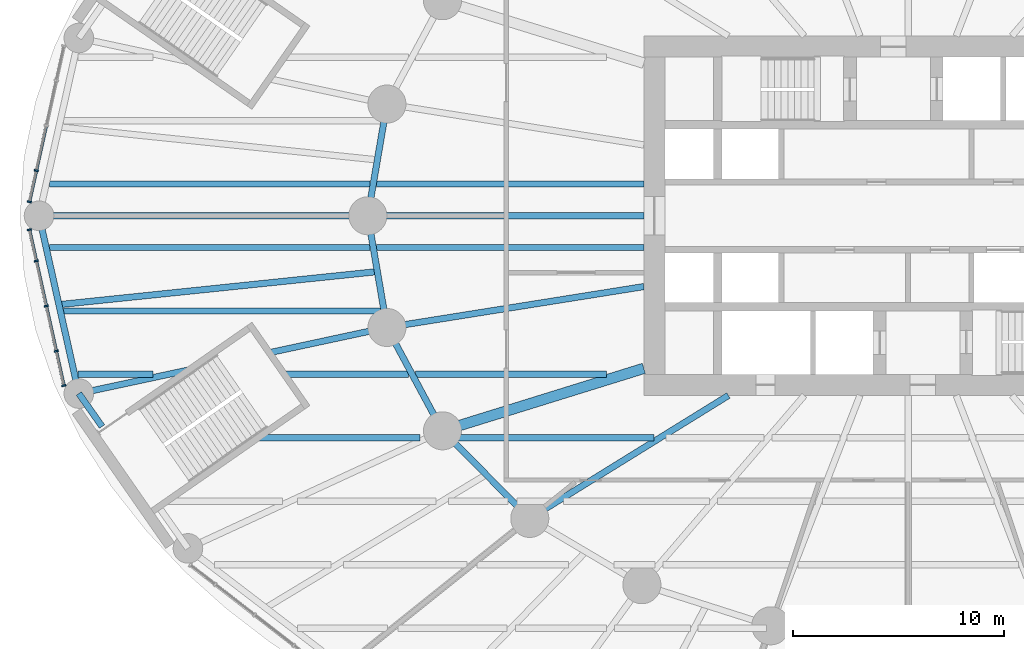
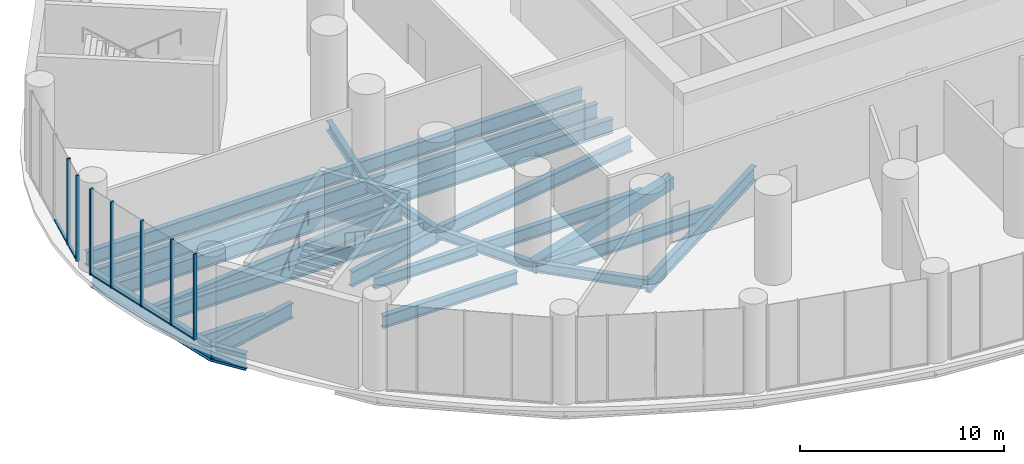
# One storey, part 3 of 23: 24 beams, 13 members, 2 elements without a shape of their own.
"""IFC4 building model written with IfcOpenShell, lengths in metres."""

from ifc_helpers import new_model, si_unit, direction, frame, origin, origin_2d, place, context, subcontext, project, spatial, rectangle, hollow_rectangle, i_section, extrude, material, material_profile, profile_set, type_object, element, aggregate, save


model = new_model("IFC4")

# Units and contexts
model_context = context("Model", 3, precision=1e-05, world=origin(), true_north=direction((0.0, 1.0)))
body_context = subcontext(model_context, "Body", "Model", "MODEL_VIEW")
ifc_project = project(units=[si_unit("LENGTHUNIT", "METRE"), si_unit("AREAUNIT", "SQUARE_METRE"), si_unit("VOLUMEUNIT", "CUBIC_METRE"), si_unit("PLANEANGLEUNIT", "RADIAN"), si_unit("MASSUNIT", "GRAM", prefix="KILO")], contexts=[model_context])

# Site, building, storey
site_placement = place(None, origin())
site = spatial("IfcSite", under=ifc_project, at=site_placement, CompositionType="ELEMENT")
building_placement = place(site_placement, origin())
building = spatial("IfcBuilding", under=site, at=building_placement, Name="Hankou Lantern Tower", CompositionType="ELEMENT")
storey_placement = place(building_placement, frame((0.0, 0.0, 19.199951171875)))
storey = spatial("IfcBuildingStorey", under=building, at=storey_placement, Name="L03", CompositionType="ELEMENT", Elevation=19.199951171875)

# Beams
ifc_material_1 = material(Name="Steel Q355B", Category="steel")
ifc_material_profile_1 = material_profile(ifc_material_1, i_section(OverallWidth=0.300048828125, OverallDepth=0.587890625, WebThickness=0.011962890625, FlangeThickness=0.02001953125, FilletRadius=0.01806640625, at=origin_2d()), Name="HM588x300x12x20")
ifc_profile_set_1 = profile_set([ifc_material_profile_1], Name="Steel Q355B")
beam_type_1 = type_object("IfcBeamType", Name="EB16 RING BEAM HM588x300x12x20", PredefinedType="SPANDREL", material=ifc_profile_set_1)
for number, where, z_axis, x_axis, name in (
    (1, (-24.64697265625, 5.283203125, -0.5439453125), (-0.168489691988, -0.985703415685, 0.0), (0.985703415685, -0.168489691988, 0.0), "Ring beam R12-R13 L03"),
    (2, (-25.550048828125, 0.0, -0.5439453125), (0.168489691988, -0.985703415685, 0.0), (0.985703415685, 0.168489691988, 0.0), "Ring beam R13-R14 L03"),
):
    element("IfcBeam", number, at=place(storey_placement, frame(where, z_axis=z_axis, x_axis=x_axis)), inside=storey, type_object=beam_type_1, Name=name, PredefinedType="SPANDREL", context=body_context, shape_type="SweptSolid", body=[
        extrude(i_section(OverallWidth=0.300048828125, OverallDepth=0.587890625, WebThickness=0.011962890625, FlangeThickness=0.02001953125, FilletRadius=0.01806640625, at=origin_2d()), origin(), (0.0, 0.0, 1.0), 5.35986328125),
    ])
beam_1_placement = place(storey_placement, frame((-24.64697265625, -5.283203125, -0.5439453125), z_axis=(0.473609096023, -0.880735161194, 0.0), x_axis=(0.880735161194, 0.473609096023, 0.0)))
element("IfcBeam", 3, at=beam_1_placement, inside=storey, type_object=beam_type_1, Name="Ring beam R14-R15 L03", PredefinedType="SPANDREL", context=body_context, shape_type="SweptSolid", body=[
    extrude(i_section(OverallWidth=0.300048828125, OverallDepth=0.587890625, WebThickness=0.011962890625, FlangeThickness=0.02001953125, FilletRadius=0.01806640625, at=origin_2d()), origin(), (0.0, 0.0, 1.0), 5.548828125),
])
beam_2_placement = place(storey_placement, frame((-22.01904296875, -10.170166015625, -0.5439453125), z_axis=(0.705727798394, -0.708483079949, 0.0), x_axis=(0.708483079949, 0.705727798394, 0.0)))
element("IfcBeam", 4, at=beam_2_placement, inside=storey, type_object=beam_type_1, Name="Ring beam R15-R16 L03", PredefinedType="SPANDREL", context=body_context, shape_type="SweptSolid", body=[
    extrude(i_section(OverallWidth=0.300048828125, OverallDepth=0.587890625, WebThickness=0.011962890625, FlangeThickness=0.02001953125, FilletRadius=0.01806640625, at=origin_2d()), origin(), (0.0, 0.0, 1.0), 5.84814453125),
])

# Curtain wall, members
ifc_material_2 = material(Name="Glass, dark grey tinted laminated", Category="glass")
curtain_wall_type = type_object("IfcCurtainWallType", Name="CWP PODIUM CURTAIN WALL", PredefinedType="USERDEFINED", material=ifc_material_2)
curtain_wall_1_placement = place(storey_placement, origin())
curtain_wall_1 = element("IfcCurtainWall", 5, at=curtain_wall_1_placement, inside=storey, type_object=curtain_wall_type, Name="CWP L03 PC09", ObjectType="PODIUM GLAZING", PredefinedType="USERDEFINED")
ifc_material_3 = material(Name="Aluminium, black anodised", Category="aluminium")
ifc_material_profile_2 = material_profile(ifc_material_3, rectangle(XDim=0.080078125, YDim=0.199951171875, at=origin_2d()), Name="MU2 80X200")
ifc_profile_set_2 = profile_set([ifc_material_profile_2], Name="Aluminium, black anodised")
member_type_1 = type_object("IfcMemberType", Name="MU2 PODIUM MULLION 80X200", PredefinedType="MULLION", material=ifc_profile_set_2)
member_1_placement = place(storey_placement, frame((-41.228515625, 2.133544921875, 0.0), z_axis=(0.0, 0.0, 1.0), x_axis=(-0.215821488116, -0.976432837049, 0.0)))
member_1 = element("IfcMember", 6, at=member_1_placement, type_object=member_type_1, Name="CWP mullion 4", PredefinedType="MULLION", context=body_context, shape_type="SweptSolid", body=[
    extrude(rectangle(XDim=0.080078125, YDim=0.199951171875, at=origin_2d()), origin(), (0.0, 0.0, 1.0), 5.150146484375),
])
member_2_placement = place(storey_placement, frame((-41.55419921875, 0.659423828125, 0.0), z_axis=(0.0, 0.0, 1.0), x_axis=(-0.215821488116, -0.976432837049, 0.0)))
member_2 = element("IfcMember", 7, at=member_2_placement, type_object=member_type_1, Name="CWP mullion 5", PredefinedType="MULLION", context=body_context, shape_type="SweptSolid", body=[
    extrude(rectangle(XDim=0.080078125, YDim=0.199951171875, at=origin_2d()), origin(), (0.0, 0.0, 1.0), 5.150146484375),
])

curtain_wall_2_placement = place(storey_placement, origin())
curtain_wall_2 = element("IfcCurtainWall", 8, at=curtain_wall_2_placement, inside=storey, type_object=curtain_wall_type, Name="CWP L03 PC10", ObjectType="PODIUM GLAZING", PredefinedType="USERDEFINED")
member_3_placement = place(storey_placement, frame((-41.55419921875, -0.659423828125, 0.0), z_axis=(0.0, 0.0, 1.0), x_axis=(0.215821488116, -0.976432837049, 0.0)))
member_3 = element("IfcMember", 9, at=member_3_placement, type_object=member_type_1, Name="CWP mullion 1", PredefinedType="MULLION", context=body_context, shape_type="SweptSolid", body=[
    extrude(rectangle(XDim=0.080078125, YDim=0.199951171875, at=origin_2d()), origin(), (0.0, 0.0, 1.0), 5.150146484375),
])
member_4_placement = place(storey_placement, frame((-41.228515625, -2.133544921875, 0.0), z_axis=(0.0, 0.0, 1.0), x_axis=(0.215821488116, -0.976432837049, 0.0)))
member_4 = element("IfcMember", 10, at=member_4_placement, type_object=member_type_1, Name="CWP mullion 2", PredefinedType="MULLION", context=body_context, shape_type="SweptSolid", body=[
    extrude(rectangle(XDim=0.080078125, YDim=0.199951171875, at=origin_2d()), origin(), (0.0, 0.0, 1.0), 5.150146484375),
])
member_5_placement = place(storey_placement, frame((-40.7568359375, -4.267333984375, 0.0), z_axis=(0.0, 0.0, 1.0), x_axis=(0.215821488116, -0.976432837049, 0.0)))
member_5 = element("IfcMember", 11, at=member_5_placement, type_object=member_type_1, Name="CWP mullion 3", PredefinedType="MULLION", context=body_context, shape_type="SweptSolid", body=[
    extrude(rectangle(XDim=0.080078125, YDim=0.199951171875, at=origin_2d()), origin(), (0.0, 0.0, 1.0), 5.150146484375),
])
member_6_placement = place(storey_placement, frame((-40.28515625, -6.40087890625, 0.0), z_axis=(0.0, 0.0, 1.0), x_axis=(0.215821488116, -0.976432837049, 0.0)))
member_6 = element("IfcMember", 12, at=member_6_placement, type_object=member_type_1, Name="CWP mullion 4", PredefinedType="MULLION", context=body_context, shape_type="SweptSolid", body=[
    extrude(rectangle(XDim=0.080078125, YDim=0.199951171875, at=origin_2d()), origin(), (0.0, 0.0, 1.0), 5.150146484375),
])
member_7_placement = place(storey_placement, frame((-39.925537109375, -8.028564453125, 0.0), z_axis=(0.0, 0.0, 1.0), x_axis=(0.215821488116, -0.976432837049, 0.0)))
member_7 = element("IfcMember", 13, at=member_7_placement, type_object=member_type_1, Name="CWP mullion 5", PredefinedType="MULLION", context=body_context, shape_type="SweptSolid", body=[
    extrude(rectangle(XDim=0.080078125, YDim=0.199951171875, at=origin_2d()), origin(), (0.0, 0.0, 1.0), 5.150146484375),
])

# Beams
ifc_material_4 = material(Name="Steel Q355B", Category="steel")
ifc_material_profile_3 = material_profile(ifc_material_4, i_section(OverallWidth=0.300048828125, OverallDepth=0.89990234375, WebThickness=0.01611328125, FlangeThickness=0.028076171875, FilletRadius=0.01806640625, at=origin_2d()), Name="HN900x300x16x28")
ifc_profile_set_3 = profile_set([ifc_material_profile_3], Name="Steel Q355B")
beam_type_2 = type_object("IfcBeamType", Name="PB13 PODIUM RADIAL BEAM HN900x300x16x28", PredefinedType="BEAM", material=ifc_profile_set_3)
beam_3_placement = place(storey_placement, frame((-25.550048828125, 0.0, -0.699951171875), z_axis=(-1.0, 0.0, 0.0), x_axis=(0.0, -1.0, 0.0)))
element("IfcBeam", 14, at=beam_3_placement, inside=storey, type_object=beam_type_2, Name="Podium radial beam R13 L03", PredefinedType="BEAM", context=body_context, shape_type="SweptSolid", body=[
    extrude(i_section(OverallWidth=0.300048828125, OverallDepth=0.89990234375, WebThickness=0.01611328125, FlangeThickness=0.028076171875, FilletRadius=0.01806640625, at=origin_2d()), origin(), (0.0, 0.0, 1.0), 15.550048828125),
])
beam_4_placement = place(storey_placement, frame((-24.64697265625, -5.283203125, -0.699951171875), z_axis=(-0.977787338777, -0.209599427782, 0.0), x_axis=(0.209599427782, -0.977787338777, 0.0)))
element("IfcBeam", 15, at=beam_4_placement, inside=storey, type_object=beam_type_2, Name="Podium radial beam R14 L03 inner part", PredefinedType="BEAM", context=body_context, shape_type="SweptSolid", body=[
    extrude(i_section(OverallWidth=0.300048828125, OverallDepth=0.89990234375, WebThickness=0.01611328125, FlangeThickness=0.028076171875, FilletRadius=0.01806640625, at=origin_2d()), origin(), (0.0, 0.0, 1.0), 5.68896484375),
])
beam_5_placement = place(storey_placement, frame((-34.01025390625, -7.29052734375, -0.699951171875), z_axis=(-0.977788323488, -0.209594834028, 0.0), x_axis=(0.209594834028, -0.977788323488, 0.0)))
element("IfcBeam", 16, at=beam_5_placement, inside=storey, type_object=beam_type_2, Name="Podium radial beam R14 L03 outer part", PredefinedType="BEAM", context=body_context, shape_type="SweptSolid", body=[
    extrude(i_section(OverallWidth=0.300048828125, OverallDepth=0.89990234375, WebThickness=0.01611328125, FlangeThickness=0.028076171875, FilletRadius=0.01806640625, at=origin_2d()), origin(), (0.0, 0.0, 1.0), 5.32568359375),
])
ifc_material_5 = material(Name="Steel Q355B", Category="steel")
ifc_material_profile_4 = material_profile(ifc_material_5, i_section(OverallWidth=0.300048828125, OverallDepth=1.0, WebThickness=0.01904296875, FlangeThickness=0.035888671875, FilletRadius=0.01806640625, at=origin_2d()), Name="HN1000x300x19x36")
ifc_profile_set_4 = profile_set([ifc_material_profile_4], Name="Steel Q355B")
beam_type_3 = type_object("IfcBeamType", Name="PR22 PODIUM RING BEAM HN1000x300x19x36", PredefinedType="BEAM", material=ifc_profile_set_4)
beam_6_placement = place(storey_placement, frame((-41.10009765625, 0.0, -0.75), z_axis=(0.218523498172, -0.975831686689, 0.0), x_axis=(0.975831686689, 0.218523498172, 0.0)))
element("IfcBeam", 17, at=beam_6_placement, inside=storey, type_object=beam_type_3, Name="Podium ring beam R13-R14 L03", PredefinedType="BEAM", context=body_context, shape_type="SweptSolid", body=[
    extrude(i_section(OverallWidth=0.300048828125, OverallDepth=1.0, WebThickness=0.01904296875, FlangeThickness=0.035888671875, FilletRadius=0.01806640625, at=origin_2d()), origin(), (0.0, 0.0, 1.0), 8.614990234375),
])
beam_7_placement = place(storey_placement, frame((-39.217529296875, -8.40673828125, -0.75), z_axis=(0.576019631526, -0.817435859317, 0.0), x_axis=(0.817435859317, 0.576019631526, 0.0)))
element("IfcBeam", 18, at=beam_7_placement, inside=storey, type_object=beam_type_3, Name="Podium ring beam R14-R15 L03 west part", PredefinedType="BEAM", context=body_context, shape_type="SweptSolid", body=[
    extrude(i_section(OverallWidth=0.300048828125, OverallDepth=1.0, WebThickness=0.01904296875, FlangeThickness=0.035888671875, FilletRadius=0.01806640625, at=origin_2d()), origin(), (0.0, 0.0, 1.0), 1.9072265625),
])
ifc_material_6 = material(Name="Steel Q355B", Category="steel")
ifc_material_profile_5 = material_profile(ifc_material_6, i_section(OverallWidth=0.300048828125, OverallDepth=1.0, WebThickness=0.01904296875, FlangeThickness=0.035888671875, FilletRadius=0.01806640625, at=origin_2d()), Name="HN1000x300x19x36")
ifc_profile_set_5 = profile_set([ifc_material_profile_5], Name="Steel Q355B")
beam_type_4 = type_object("IfcBeamType", Name="PS22 PODIUM SECONDARY BEAM HN1000x300x19x36", PredefinedType="JOIST", material=ifc_profile_set_5)
beam_8_placement = place(storey_placement, frame((-25.098388671875, -2.6416015625, -0.75), z_axis=(-0.994666039581, -0.103147805132, 0.0), x_axis=(0.103147805132, -0.994666039581, 0.0)))
element("IfcBeam", 19, at=beam_8_placement, inside=storey, type_object=beam_type_4, Name="Podium secondary beam bay R13 L03", PredefinedType="JOIST", context=body_context, shape_type="SweptSolid", body=[
    extrude(i_section(OverallWidth=0.300048828125, OverallDepth=1.0, WebThickness=0.01904296875, FlangeThickness=0.035888671875, FilletRadius=0.01806640625, at=origin_2d()), origin(), (0.0, 0.0, 1.0), 15.14111328125),
])
ifc_material_7 = material(Name="Steel Q355B", Category="steel")
ifc_material_profile_6 = material_profile(ifc_material_7, i_section(OverallWidth=0.300048828125, OverallDepth=0.85009765625, WebThickness=0.01611328125, FlangeThickness=0.027099609375, FilletRadius=0.01806640625, at=origin_2d()), Name="HN850x300x16x27")
ifc_profile_set_6 = profile_set([ifc_material_profile_6], Name="Steel Q355B")
beam_type_5 = type_object("IfcBeamType", Name="RB12 RADIAL BEAM HN850x300x16x27", PredefinedType="BEAM", material=ifc_profile_set_6)
beam_9_placement = place(storey_placement, frame((-12.5, -3.349365234375, -0.675048828125), z_axis=(-0.987563081343, -0.157223281893, 0.0), x_axis=(0.157223281893, -0.987563081343, 0.0)))
element("IfcBeam", 20, at=beam_9_placement, inside=storey, type_object=beam_type_5, Name="Radial beam R14 L03", PredefinedType="BEAM", context=body_context, shape_type="SweptSolid", body=[
    extrude(i_section(OverallWidth=0.300048828125, OverallDepth=0.85009765625, WebThickness=0.01611328125, FlangeThickness=0.027099609375, FilletRadius=0.01806640625, at=origin_2d()), origin(), (0.0, 0.0, 1.0), 12.300048828125),
])
beam_10_placement = place(storey_placement, frame((-8.5, -8.5, -0.675048828125), z_axis=(-0.850286343288, -0.526320372414, 0.0), x_axis=(0.526320372414, -0.850286343288, 0.0)))
element("IfcBeam", 21, at=beam_10_placement, inside=storey, type_object=beam_type_5, Name="Radial beam R16 L03", PredefinedType="BEAM", context=body_context, shape_type="SweptSolid", body=[
    extrude(i_section(OverallWidth=0.300048828125, OverallDepth=0.85009765625, WebThickness=0.01611328125, FlangeThickness=0.027099609375, FilletRadius=0.01806640625, at=origin_2d()), origin(), (0.0, 0.0, 1.0), 11.04541015625),
])
ifc_material_8 = material(Name="Steel Q355B", Category="steel")
ifc_material_profile_7 = material_profile(ifc_material_8, i_section(OverallWidth=0.300048828125, OverallDepth=0.89990234375, WebThickness=0.01611328125, FlangeThickness=0.028076171875, FilletRadius=0.01806640625, at=origin_2d()), Name="HN900x300x16x28")
ifc_profile_set_7 = profile_set([ifc_material_profile_7], Name="Steel Q355B")
beam_type_6 = type_object("IfcBeamType", Name="RB13 RADIAL BEAM HN900x300x16x28", PredefinedType="BEAM", material=ifc_profile_set_7)
beam_11_placement = place(storey_placement, frame((-12.5, 0.0, -0.699951171875), z_axis=(-1.0, 0.0, 0.0), x_axis=(0.0, -1.0, 0.0)))
element("IfcBeam", 22, at=beam_11_placement, inside=storey, type_object=beam_type_6, Name="Radial beam R13 L03", PredefinedType="BEAM", context=body_context, shape_type="SweptSolid", body=[
    extrude(i_section(OverallWidth=0.300048828125, OverallDepth=0.89990234375, WebThickness=0.01611328125, FlangeThickness=0.028076171875, FilletRadius=0.01806640625, at=origin_2d()), origin(), (0.0, 0.0, 1.0), 13.050048828125),
])
ifc_material_9 = material(Name="Steel Q355B", Category="steel")
ifc_material_profile_8 = material_profile(ifc_material_9, hollow_rectangle(XDim=0.5, YDim=0.699951171875, WallThickness=0.0400390625, at=origin_2d()), Name="BOX700x500x40")
ifc_profile_set_8 = profile_set([ifc_material_profile_8], Name="Steel Q355B")
beam_type_7 = type_object("IfcBeamType", Name="RB25 RADIAL BEAM BOX700x500x40", PredefinedType="BEAM", material=ifc_profile_set_8)
beam_12_placement = place(storey_placement, frame((-12.5, -7.216796875, -0.599853515625), z_axis=(-0.955087327755, -0.29632447817, 0.0), x_axis=(0.29632447817, -0.955087327755, 0.0)))
element("IfcBeam", 23, at=beam_12_placement, inside=storey, type_object=beam_type_7, Name="Radial beam R15 L03", PredefinedType="BEAM", context=body_context, shape_type="SweptSolid", body=[
    extrude(hollow_rectangle(XDim=0.5, YDim=0.699951171875, WallThickness=0.0400390625, at=origin_2d()), origin(), (0.0, 0.0, 1.0), 9.966552734375),
])
ifc_material_10 = material(Name="Steel Q355B", Category="steel")
ifc_material_profile_9 = material_profile(ifc_material_10, i_section(OverallWidth=0.300048828125, OverallDepth=0.75, WebThickness=0.012939453125, FlangeThickness=0.02392578125, FilletRadius=0.01806640625, at=origin_2d()), Name="HN750x300x13x24")
ifc_profile_set_9 = profile_set([ifc_material_profile_9], Name="Steel Q355B")
beam_type_8 = type_object("IfcBeamType", Name="SB10 SECONDARY BEAM HN750x300x13x24", PredefinedType="JOIST", material=ifc_profile_set_9)
beam_13_placement = place(storey_placement, frame((-30.743896484375, -10.5, -0.625), z_axis=(1.0, 0.0, 0.0), x_axis=(0.0, 1.0, 0.0)))
element("IfcBeam", 24, at=beam_13_placement, inside=storey, type_object=beam_type_8, Name="Floor joist J059 L03", PredefinedType="JOIST", context=body_context, shape_type="SweptSolid", body=[
    extrude(i_section(OverallWidth=0.300048828125, OverallDepth=0.75, WebThickness=0.012939453125, FlangeThickness=0.02392578125, FilletRadius=0.01806640625, at=origin_2d()), origin(), (0.0, 0.0, 1.0), 7.653076171875),
])
beam_14_placement = place(storey_placement, frame((-21.478759765625, -10.5, -0.625), z_axis=(1.0, 0.0, 0.0), x_axis=(0.0, 1.0, 0.0)))
element("IfcBeam", 25, at=beam_14_placement, inside=storey, type_object=beam_type_8, Name="Floor joist J060 L03", PredefinedType="JOIST", context=body_context, shape_type="SweptSolid", body=[
    extrude(i_section(OverallWidth=0.300048828125, OverallDepth=0.75, WebThickness=0.012939453125, FlangeThickness=0.02392578125, FilletRadius=0.01806640625, at=origin_2d()), origin(), (0.0, 0.0, 1.0), 9.462646484375),
])
beam_15_placement = place(storey_placement, frame((-23.28466796875, -7.5, -0.625), z_axis=(1.0, 0.0, 0.0), x_axis=(0.0, 1.0, 0.0)))
element("IfcBeam", 26, at=beam_15_placement, inside=storey, type_object=beam_type_8, Name="Floor joist J071 L03", PredefinedType="JOIST", context=body_context, shape_type="SweptSolid", body=[
    extrude(i_section(OverallWidth=0.300048828125, OverallDepth=0.75, WebThickness=0.012939453125, FlangeThickness=0.02392578125, FilletRadius=0.01806640625, at=origin_2d()), origin(), (0.0, 0.0, 1.0), 9.0283203125),
])
ifc_material_11 = material(Name="Steel Q355B", Category="steel")
ifc_material_profile_10 = material_profile(ifc_material_11, i_section(OverallWidth=0.300048828125, OverallDepth=0.85009765625, WebThickness=0.01611328125, FlangeThickness=0.027099609375, FilletRadius=0.01806640625, at=origin_2d()), Name="HN850x300x16x27")
ifc_profile_set_10 = profile_set([ifc_material_profile_10], Name="Steel Q355B")
beam_type_9 = type_object("IfcBeamType", Name="SB12 SECONDARY BEAM HN850x300x16x27", PredefinedType="JOIST", material=ifc_profile_set_10)
beam_16_placement = place(storey_placement, frame((-39.938720703125, -4.5, -0.675048828125), z_axis=(1.0, 0.0, 0.0), x_axis=(0.0, 1.0, 0.0)))
element("IfcBeam", 27, at=beam_16_placement, inside=storey, type_object=beam_type_9, Name="Floor joist J075 L03", PredefinedType="JOIST", context=body_context, shape_type="SweptSolid", body=[
    extrude(i_section(OverallWidth=0.300048828125, OverallDepth=0.85009765625, WebThickness=0.01611328125, FlangeThickness=0.027099609375, FilletRadius=0.01806640625, at=origin_2d()), origin(), (0.0, 0.0, 1.0), 15.005615234375),
])
beam_17_placement = place(storey_placement, frame((-40.6103515625, -1.5, -0.675048828125), z_axis=(1.0, 0.0, 0.0), x_axis=(0.0, 1.0, 0.0)))
element("IfcBeam", 28, at=beam_17_placement, inside=storey, type_object=beam_type_9, Name="Floor joist J081 L03", PredefinedType="JOIST", context=body_context, shape_type="SweptSolid", body=[
    extrude(i_section(OverallWidth=0.300048828125, OverallDepth=0.85009765625, WebThickness=0.01611328125, FlangeThickness=0.027099609375, FilletRadius=0.01806640625, at=origin_2d()), origin(), (0.0, 0.0, 1.0), 15.16455078125),
])
beam_18_placement = place(storey_placement, frame((-25.141357421875, -1.5, -0.675048828125), z_axis=(1.0, 0.0, 0.0), x_axis=(0.0, 1.0, 0.0)))
element("IfcBeam", 29, at=beam_18_placement, inside=storey, type_object=beam_type_9, Name="Floor joist J082 L03", PredefinedType="JOIST", context=body_context, shape_type="SweptSolid", body=[
    extrude(i_section(OverallWidth=0.300048828125, OverallDepth=0.85009765625, WebThickness=0.01611328125, FlangeThickness=0.027099609375, FilletRadius=0.01806640625, at=origin_2d()), origin(), (0.0, 0.0, 1.0), 12.641357421875),
])
beam_19_placement = place(storey_placement, frame((-40.6103515625, 1.5, -0.675048828125), z_axis=(1.0, 0.0, 0.0), x_axis=(0.0, 1.0, 0.0)))
element("IfcBeam", 30, at=beam_19_placement, inside=storey, type_object=beam_type_9, Name="Floor joist J085 L03", PredefinedType="JOIST", context=body_context, shape_type="SweptSolid", body=[
    extrude(i_section(OverallWidth=0.300048828125, OverallDepth=0.85009765625, WebThickness=0.01611328125, FlangeThickness=0.027099609375, FilletRadius=0.01806640625, at=origin_2d()), origin(), (0.0, 0.0, 1.0), 15.16455078125),
])
beam_20_placement = place(storey_placement, frame((-25.141357421875, 1.5, -0.675048828125), z_axis=(1.0, 0.0, 0.0), x_axis=(0.0, 1.0, 0.0)))
element("IfcBeam", 31, at=beam_20_placement, inside=storey, type_object=beam_type_9, Name="Floor joist J086 L03", PredefinedType="JOIST", context=body_context, shape_type="SweptSolid", body=[
    extrude(i_section(OverallWidth=0.300048828125, OverallDepth=0.85009765625, WebThickness=0.01611328125, FlangeThickness=0.027099609375, FilletRadius=0.01806640625, at=origin_2d()), origin(), (0.0, 0.0, 1.0), 12.641357421875),
])
ifc_material_12 = material(Name="Steel Q355B", Category="steel")
ifc_material_profile_11 = material_profile(ifc_material_12, i_section(OverallWidth=0.300048828125, OverallDepth=0.64990234375, WebThickness=0.010986328125, FlangeThickness=0.01708984375, FilletRadius=0.01806640625, at=origin_2d()), Name="HN650x300x11x17")
ifc_profile_set_11 = profile_set([ifc_material_profile_11], Name="Steel Q355B")
beam_type_10 = type_object("IfcBeamType", Name="SB8 SECONDARY BEAM HN650x300x11x17", PredefinedType="JOIST", material=ifc_profile_set_11)
beam_21_placement = place(storey_placement, frame((-39.266845703125, -7.5, -0.574951171875), z_axis=(1.0, 0.0, 0.0), x_axis=(0.0, 1.0, 0.0)))
element("IfcBeam", 32, at=beam_21_placement, inside=storey, type_object=beam_type_10, Name="Floor joist J069 L03", PredefinedType="JOIST", context=body_context, shape_type="SweptSolid", body=[
    extrude(i_section(OverallWidth=0.300048828125, OverallDepth=0.64990234375, WebThickness=0.010986328125, FlangeThickness=0.01708984375, FilletRadius=0.01806640625, at=origin_2d()), origin(), (0.0, 0.0, 1.0), 3.563232421875),
])
beam_22_placement = place(storey_placement, frame((-29.496826171875, -7.5, -0.574951171875), z_axis=(1.0, 0.0, 0.0), x_axis=(0.0, 1.0, 0.0)))
element("IfcBeam", 33, at=beam_22_placement, inside=storey, type_object=beam_type_10, Name="Floor joist J070 L03", PredefinedType="JOIST", context=body_context, shape_type="SweptSolid", body=[
    extrude(i_section(OverallWidth=0.300048828125, OverallDepth=0.64990234375, WebThickness=0.010986328125, FlangeThickness=0.01708984375, FilletRadius=0.01806640625, at=origin_2d()), origin(), (0.0, 0.0, 1.0), 5.87158203125),
])

# Member
ifc_material_13 = material(Name="Aluminium, black anodised", Category="aluminium")
ifc_material_profile_12 = material_profile(ifc_material_13, rectangle(XDim=0.14990234375, YDim=0.080078125, at=origin_2d()), Name="TR2 150X80")
ifc_profile_set_12 = profile_set([ifc_material_profile_12], Name="Aluminium, black anodised")
member_type_2 = type_object("IfcMemberType", Name="TR2 PODIUM TRANSOM 150X80", PredefinedType="USERDEFINED", material=ifc_profile_set_12)
member_8_placement = place(storey_placement, frame((-40.765380859375, 4.228271484375, 0.0400390625), z_axis=(-0.215812948044, -0.976434724627, 0.0), x_axis=(0.976434724627, -0.215812948044, 0.0)))
member_8 = element("IfcMember", 34, at=member_8_placement, type_object=member_type_2, Name="CWP transom 3", ObjectType="TRANSOM", PredefinedType="USERDEFINED", context=body_context, shape_type="SweptSolid", body=[
    extrude(rectangle(XDim=0.14990234375, YDim=0.080078125, at=origin_2d()), origin(), (0.0, 0.0, 1.0), 2.105224609375),
])

member_9_placement = place(storey_placement, frame((-41.237060546875, 2.094482421875, 0.0400390625), z_axis=(-0.215845471344, -0.976427535714, 0.0), x_axis=(0.976427535714, -0.215845471344, 0.0)))
member_9 = element("IfcMember", 35, at=member_9_placement, type_object=member_type_2, Name="CWP transom 4", ObjectType="TRANSOM", PredefinedType="USERDEFINED", context=body_context, shape_type="SweptSolid", body=[
    extrude(rectangle(XDim=0.14990234375, YDim=0.080078125, at=origin_2d()), origin(), (0.0, 0.0, 1.0), 1.4296875),
])

aggregate(curtain_wall_1, [member_1, member_2, member_8, member_9])

member_10_placement = place(storey_placement, frame((-41.545654296875, -0.698486328125, 0.0400390625), z_axis=(0.215845471344, -0.976427535714, 0.0), x_axis=(0.976427535714, 0.215845471344, 0.0)))
member_10 = element("IfcMember", 36, at=member_10_placement, type_object=member_type_2, Name="CWP transom 1", ObjectType="TRANSOM", PredefinedType="USERDEFINED", context=body_context, shape_type="SweptSolid", body=[
    extrude(rectangle(XDim=0.14990234375, YDim=0.080078125, at=origin_2d()), origin(), (0.0, 0.0, 1.0), 1.4296875),
])

member_11_placement = place(storey_placement, frame((-41.2197265625, -2.172607421875, 0.0400390625), z_axis=(0.215812948044, -0.976434724627, 0.0), x_axis=(0.976434724627, 0.215812948044, 0.0)))
member_11 = element("IfcMember", 37, at=member_11_placement, type_object=member_type_2, Name="CWP transom 2", ObjectType="TRANSOM", PredefinedType="USERDEFINED", context=body_context, shape_type="SweptSolid", body=[
    extrude(rectangle(XDim=0.14990234375, YDim=0.080078125, at=origin_2d()), origin(), (0.0, 0.0, 1.0), 2.105224609375),
])

member_12_placement = place(storey_placement, frame((-40.748291015625, -4.30615234375, 0.0400390625), z_axis=(0.215812948044, -0.976434724627, 0.0), x_axis=(0.976434724627, 0.215812948044, 0.0)))
member_12 = element("IfcMember", 38, at=member_12_placement, type_object=member_type_2, Name="CWP transom 3", ObjectType="TRANSOM", PredefinedType="USERDEFINED", context=body_context, shape_type="SweptSolid", body=[
    extrude(rectangle(XDim=0.14990234375, YDim=0.080078125, at=origin_2d()), origin(), (0.0, 0.0, 1.0), 2.105224609375),
])

member_13_placement = place(storey_placement, frame((-40.276611328125, -6.43994140625, 0.0400390625), z_axis=(0.215838955929, -0.976428975965, 0.0), x_axis=(0.976428975965, 0.215838955929, 0.0)))
member_13 = element("IfcMember", 39, at=member_13_placement, type_object=member_type_2, Name="CWP transom 4", ObjectType="TRANSOM", PredefinedType="USERDEFINED", context=body_context, shape_type="SweptSolid", body=[
    extrude(rectangle(XDim=0.14990234375, YDim=0.080078125, at=origin_2d()), origin(), (0.0, 0.0, 1.0), 1.5869140625),
])

aggregate(curtain_wall_2, [member_3, member_4, member_5, member_6, member_7, member_10, member_11, member_12, member_13])

save(model, "model.ifc")
